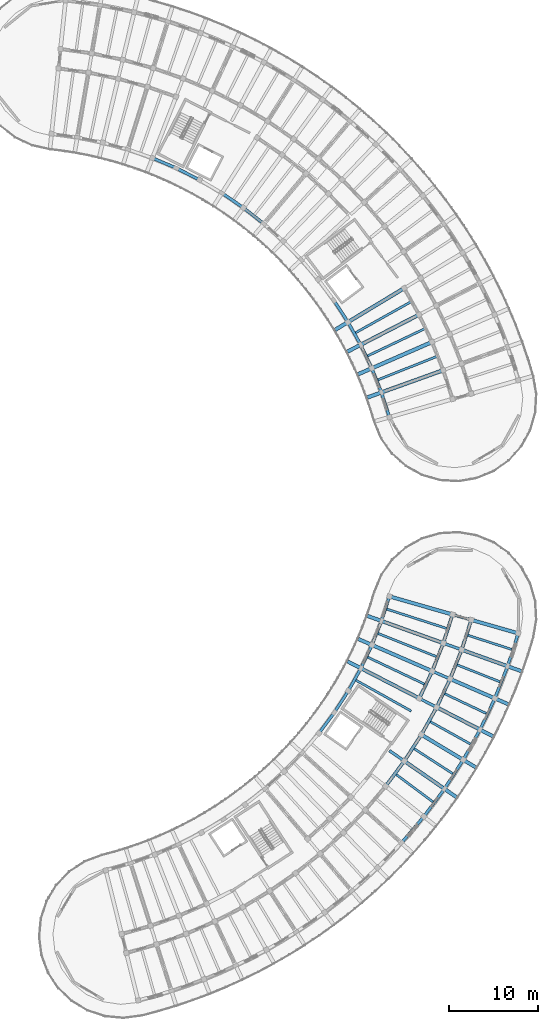
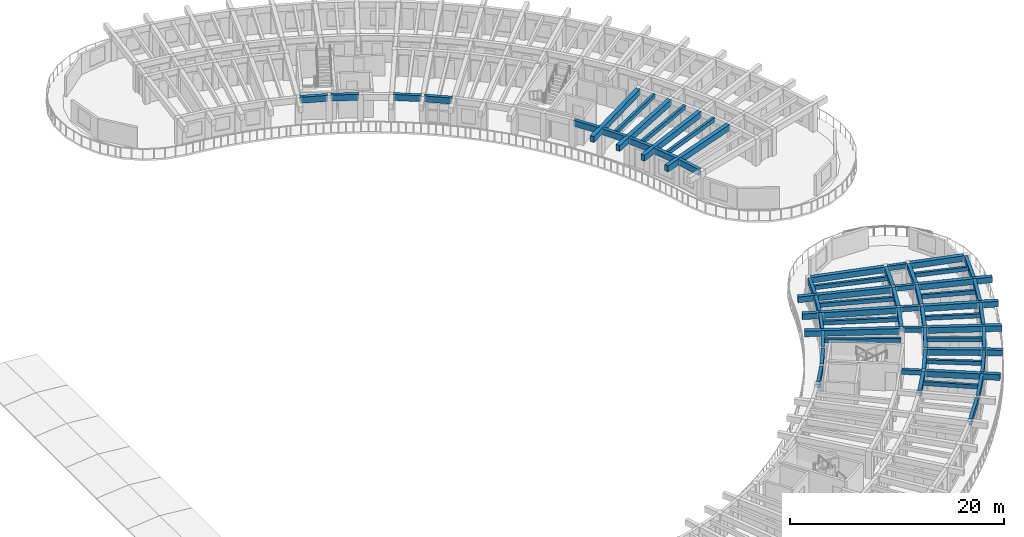
# One storey, part 14 of 69: 63 beams.
"""IFC4 building model written with IfcOpenShell, lengths in metres."""

from ifc_helpers import new_model, si_unit, direction, frame, origin, origin_2d, place, context, subcontext, project, spatial, rectangle, extrude, material, material_profile, profile_set, type_object, element, save


model = new_model("IFC4")

# Units and contexts
model_context = context("Model", 3, precision=1e-05, world=origin(), true_north=direction((0.0, 1.0)))
body_context = subcontext(model_context, "Body", "Model", "MODEL_VIEW")
ifc_project = project(units=[si_unit("LENGTHUNIT", "METRE"), si_unit("AREAUNIT", "SQUARE_METRE"), si_unit("VOLUMEUNIT", "CUBIC_METRE"), si_unit("PLANEANGLEUNIT", "RADIAN"), si_unit("MASSUNIT", "GRAM", prefix="KILO")], contexts=[model_context])

# Site, building, storey
site_placement = place(None, origin())
site = spatial("IfcSite", under=ifc_project, at=site_placement, CompositionType="ELEMENT")
building_placement = place(site_placement, origin())
building = spatial("IfcBuilding", under=site, at=building_placement, Name="Tanwirah Colonnade Gardens", CompositionType="ELEMENT")
storey_placement = place(building_placement, frame((0.0, 0.0, 15.56005859375)))
storey = spatial("IfcBuildingStorey", under=building, at=storey_placement, Name="L04", CompositionType="ELEMENT", Elevation=15.56005859375)

# Beams
ifc_material_1 = material(Name="Precast concrete C40/50", Category="concrete")
ifc_material_profile_1 = material_profile(ifc_material_1, rectangle(XDim=0.360107421875, YDim=0.610107421875, at=origin_2d()), Name="PC-BM 360x610")
ifc_profile_set_1 = profile_set([ifc_material_profile_1], Name="Precast concrete C40/50")
beam_type_1 = type_object("IfcBeamType", Name="BM-PC300", PredefinedType="BEAM", material=ifc_profile_set_1)
beam_1_placement = place(storey_placement, frame((163.389404296875, 30.973388671875, 2.804931640625), z_axis=(0.596579473879, 0.802554005252, 0.0), x_axis=(-0.802554005252, 0.596579473879, 0.0)))
element("IfcBeam", 1, at=beam_1_placement, inside=storey, type_object=beam_type_1, Name="Block D L04 Circumferential Beam 10-R2", PredefinedType="BEAM", context=body_context, shape_type="SweptSolid", body=[
    extrude(rectangle(XDim=0.360107421875, YDim=0.610107421875, at=origin_2d()), origin(), (0.0, 0.0, 1.0), 3.237060546875),
])
for number, where, z_axis, x_axis, name in (
    (2, (165.491455078125, 33.817626953125, 2.804931640625), (0.542825891173, 0.839845254718, 0.0), (-0.839845254718, 0.542825891173, 0.0), "Block D L04 Circumferential Beam 11-R2"),
    (3, (167.40283203125, 36.793212890625, 2.804931640625), (0.486712025227, 0.873562478875, 0.0), (-0.873562478875, 0.486712025227, 0.0), "Block D L04 Circumferential Beam 12-R2"),
):
    element("IfcBeam", number, at=place(storey_placement, frame(where, z_axis=z_axis, x_axis=x_axis)), inside=storey, type_object=beam_type_1, Name=name, PredefinedType="BEAM", context=body_context, shape_type="SweptSolid", body=[
        extrude(rectangle(XDim=0.360107421875, YDim=0.610107421875, at=origin_2d()), origin(), (0.0, 0.0, 1.0), 3.23681640625),
    ])
beam_2_placement = place(storey_placement, frame((167.159912109375, 40.894775390625, 2.804931640625), z_axis=(0.428520598641, 0.903532011907, 0.0), x_axis=(-0.903532011907, 0.428520598641, 0.0)))
element("IfcBeam", 4, at=beam_2_placement, inside=storey, type_object=beam_type_1, Name="Block D L04 Circumferential Beam 13-R1", PredefinedType="BEAM", context=body_context, shape_type="SweptSolid", body=[
    extrude(rectangle(XDim=0.360107421875, YDim=0.610107421875, at=origin_2d()), origin(), (0.0, 0.0, 1.0), 3.093017578125),
])
beam_3_placement = place(storey_placement, frame((169.11572265625, 39.887451171875, 2.804931640625), z_axis=(0.428562893949, 0.903511951183, 0.0), x_axis=(-0.903511951183, 0.428562893949, 0.0)))
element("IfcBeam", 5, at=beam_3_placement, inside=storey, type_object=beam_type_1, Name="Block D L04 Circumferential Beam 13-R2", PredefinedType="BEAM", context=body_context, shape_type="SweptSolid", body=[
    extrude(rectangle(XDim=0.360107421875, YDim=0.610107421875, at=origin_2d()), origin(), (0.0, 0.0, 1.0), 3.23681640625),
])
beam_4_placement = place(storey_placement, frame((168.604736328125, 43.96435546875, 2.804931640625), z_axis=(0.368544574427, 0.929610077753, 0.0), x_axis=(-0.929610077753, 0.368544574427, 0.0)))
element("IfcBeam", 6, at=beam_4_placement, inside=storey, type_object=beam_type_1, Name="Block D L04 Circumferential Beam 14-R1", PredefinedType="BEAM", context=body_context, shape_type="SweptSolid", body=[
    extrude(rectangle(XDim=0.360107421875, YDim=0.610107421875, at=origin_2d()), origin(), (0.0, 0.0, 1.0), 3.093017578125),
])
beam_5_placement = place(storey_placement, frame((170.622314453125, 43.087158203125, 2.804931640625), z_axis=(0.368527954052, 0.929616666741, 0.0), x_axis=(-0.929616666741, 0.368527954052, 0.0)))
element("IfcBeam", 7, at=beam_5_placement, inside=storey, type_object=beam_type_1, Name="Block D L04 Circumferential Beam 14-R2", PredefinedType="BEAM", context=body_context, shape_type="SweptSolid", body=[
    extrude(rectangle(XDim=0.360107421875, YDim=0.610107421875, at=origin_2d()), origin(), (0.0, 0.0, 1.0), 3.23681640625),
])
beam_6_placement = place(storey_placement, frame((169.845947265625, 47.121826171875, 2.804931640625), z_axis=(0.306977410573, 0.951716801048, 0.0), x_axis=(-0.951716801048, 0.306977410573, 0.0)))
element("IfcBeam", 8, at=beam_6_placement, inside=storey, type_object=beam_type_1, Name="Block D L04 Circumferential Beam 15-R1", PredefinedType="BEAM", context=body_context, shape_type="SweptSolid", body=[
    extrude(rectangle(XDim=0.360107421875, YDim=0.610107421875, at=origin_2d()), origin(), (0.0, 0.0, 1.0), 3.093017578125),
])
beam_7_placement = place(storey_placement, frame((171.91650390625, 46.37841796875, 2.804931640625), z_axis=(0.306980742305, 0.951715726388, 0.0), x_axis=(-0.951715726388, 0.306980742305, 0.0)))
element("IfcBeam", 9, at=beam_7_placement, inside=storey, type_object=beam_type_1, Name="Block D L04 Circumferential Beam 15-R2", PredefinedType="BEAM", context=body_context, shape_type="SweptSolid", body=[
    extrude(rectangle(XDim=0.360107421875, YDim=0.610107421875, at=origin_2d()), origin(), (0.0, 0.0, 1.0), 3.23681640625),
])
ifc_material_profile_2 = material_profile(ifc_material_1, rectangle(XDim=0.320068359375, YDim=0.52001953125, at=origin_2d()), Name="PC-BM 320x520")
ifc_profile_set_2 = profile_set([ifc_material_profile_2], Name="Precast concrete C40/50")
beam_type_2 = type_object("IfcBeamType", Name="BM-PC320", PredefinedType="BEAM", material=ifc_profile_set_2)
beam_8_placement = place(storey_placement, frame((163.7255859375, 34.860107421875, 2.849853515625), z_axis=(0.821669163201, -0.569964723684, 0.0), x_axis=(0.569964723684, 0.821669163201, 0.0)))
element("IfcBeam", 10, at=beam_8_placement, inside=storey, type_object=beam_type_2, Name="Block D L04 Corridor Tie Beam 11", PredefinedType="BEAM", context=body_context, shape_type="SweptSolid", body=[
    extrude(rectangle(XDim=0.320068359375, YDim=0.52001953125, at=origin_2d()), origin(), (0.0, 0.0, 1.0), 1.900146484375),
])
beam_9_placement = place(storey_placement, frame((167.22900390625, 40.690673828125, 2.849853515625), z_axis=(0.888965044602, -0.457975053334, 0.0), x_axis=(0.457975053334, 0.888965044602, 0.0)))
element("IfcBeam", 11, at=beam_9_placement, inside=storey, type_object=beam_type_2, Name="Block D L04 Corridor Tie Beam 13", PredefinedType="BEAM", context=body_context, shape_type="SweptSolid", body=[
    extrude(rectangle(XDim=0.320068359375, YDim=0.52001953125, at=origin_2d()), origin(), (0.0, 0.0, 1.0), 1.89990234375),
])
beam_10_placement = place(storey_placement, frame((168.68701171875, 43.76513671875, 2.849853515625), z_axis=(0.917025109963, -0.398829471952, 0.0), x_axis=(0.398829471952, 0.917025109963, 0.0)))
element("IfcBeam", 12, at=beam_10_placement, inside=storey, type_object=beam_type_2, Name="Block D L04 Corridor Tie Beam 14", PredefinedType="BEAM", context=body_context, shape_type="SweptSolid", body=[
    extrude(rectangle(XDim=0.320068359375, YDim=0.52001953125, at=origin_2d()), origin(), (0.0, 0.0, 1.0), 1.900146484375),
])
for number, where, z_axis, x_axis, name in (
    (13, (169.941162109375, 46.92822265625, 2.849853515625), (0.941214575511, -0.337809299525, 0.0), (0.337809299525, 0.941214575511, 0.0), "Block D L04 Corridor Tie Beam 15"),
    (14, (170.985595703125, 50.166748046875, 2.849853515625), (0.961266538157, -0.275620468433, 0.0), (0.275620468433, 0.961266538157, 0.0), "Block D L04 Corridor Tie Beam 16"),
):
    element("IfcBeam", number, at=place(storey_placement, frame(where, z_axis=z_axis, x_axis=x_axis)), inside=storey, type_object=beam_type_2, Name=name, PredefinedType="BEAM", context=body_context, shape_type="SweptSolid", body=[
        extrude(rectangle(XDim=0.320068359375, YDim=0.52001953125, at=origin_2d()), origin(), (0.0, 0.0, 1.0), 1.89990234375),
    ])
ifc_material_2 = material(Name="Precast concrete C45/55", Category="concrete")
ifc_material_profile_3 = material_profile(ifc_material_2, rectangle(XDim=0.39990234375, YDim=0.64990234375, at=origin_2d()), Name="PC-BM 400x650")
ifc_profile_set_3 = profile_set([ifc_material_profile_3], Name="Precast concrete C45/55")
beam_type_3 = type_object("IfcBeamType", Name="BM-PC400", PredefinedType="BEAM", material=ifc_profile_set_3)
for number, where, z_axis, x_axis, name in (
    (15, (165.533203125, 33.606201171875, 2.784912109375), (0.821647028495, -0.569996632066, 0.0), (0.569996632066, 0.821647028495, 0.0), "Block D L04 Outer Radial Precast Girder 11"),
    (16, (167.45849609375, 36.5849609375, 2.784912109375), (0.857159687729, -0.515050744812, 0.0), (0.515050744812, 0.857159687729, 0.0), "Block D L04 Outer Radial Precast Girder 12"),
):
    element("IfcBeam", number, at=place(storey_placement, frame(where, z_axis=z_axis, x_axis=x_axis)), inside=storey, type_object=beam_type_3, Name=name, PredefinedType="BEAM", context=body_context, shape_type="SweptSolid", body=[
        extrude(rectangle(XDim=0.39990234375, YDim=0.64990234375, at=origin_2d()), origin(), (0.0, 0.0, 1.0), 7.050048828125),
    ])
beam_11_placement = place(storey_placement, frame((166.962158203125, 40.827880859375, 2.784912109375), z_axis=(-0.889022337846, 0.457863825619, 0.0), x_axis=(-0.457863825619, -0.889022337846, 0.0)))
element("IfcBeam", 17, at=beam_11_placement, inside=storey, type_object=beam_type_3, Name="Block D L04 Inner Radial Precast Girder 13", PredefinedType="BEAM", context=body_context, shape_type="SweptSolid", body=[
    extrude(rectangle(XDim=0.39990234375, YDim=0.64990234375, at=origin_2d()), origin(), (0.0, 0.0, 1.0), 8.949951171875),
])
beam_12_placement = place(storey_placement, frame((169.184814453125, 39.683349609375, 2.784912109375), z_axis=(0.889016420099, -0.457875315774, 0.0), x_axis=(0.457875315774, 0.889016420099, 0.0)))
element("IfcBeam", 18, at=beam_12_placement, inside=storey, type_object=beam_type_3, Name="Block D L04 Outer Radial Precast Girder 13", PredefinedType="BEAM", context=body_context, shape_type="SweptSolid", body=[
    extrude(rectangle(XDim=0.39990234375, YDim=0.64990234375, at=origin_2d()), origin(), (0.0, 0.0, 1.0), 7.050048828125),
])
beam_13_placement = place(storey_placement, frame((168.412109375, 43.884765625, 2.784912109375), z_axis=(-0.917069622575, 0.398727108872, 0.0), x_axis=(-0.398727108872, -0.917069622575, 0.0)))
element("IfcBeam", 19, at=beam_13_placement, inside=storey, type_object=beam_type_3, Name="Block D L04 Inner Radial Precast Girder 14", PredefinedType="BEAM", context=body_context, shape_type="SweptSolid", body=[
    extrude(rectangle(XDim=0.39990234375, YDim=0.64990234375, at=origin_2d()), origin(), (0.0, 0.0, 1.0), 8.949951171875),
])
beam_14_placement = place(storey_placement, frame((170.70458984375, 42.8876953125, 2.784912109375), z_axis=(0.91706895514, -0.398728643965, 0.0), x_axis=(0.398728643965, 0.91706895514, 0.0)))
element("IfcBeam", 20, at=beam_14_placement, inside=storey, type_object=beam_type_3, Name="Block D L04 Outer Radial Precast Girder 14", PredefinedType="BEAM", context=body_context, shape_type="SweptSolid", body=[
    extrude(rectangle(XDim=0.39990234375, YDim=0.64990234375, at=origin_2d()), origin(), (0.0, 0.0, 1.0), 7.050048828125),
])
beam_15_placement = place(storey_placement, frame((169.65869140625, 47.02978515625, 2.784912109375), z_axis=(-0.941180212187, 0.337905028356, 0.0), x_axis=(-0.337905028356, -0.941180212187, 0.0)))
element("IfcBeam", 21, at=beam_15_placement, inside=storey, type_object=beam_type_3, Name="Block D L04 Inner Radial Precast Girder 15", PredefinedType="BEAM", context=body_context, shape_type="SweptSolid", body=[
    extrude(rectangle(XDim=0.39990234375, YDim=0.64990234375, at=origin_2d()), origin(), (0.0, 0.0, 1.0), 8.94970703125),
])
beam_16_placement = place(storey_placement, frame((172.01171875, 46.184814453125, 2.784912109375), z_axis=(0.941174903614, -0.337919814168, 0.0), x_axis=(0.337919814168, 0.941174903614, 0.0)))
element("IfcBeam", 22, at=beam_16_placement, inside=storey, type_object=beam_type_3, Name="Block D L04 Outer Radial Precast Girder 15", PredefinedType="BEAM", context=body_context, shape_type="SweptSolid", body=[
    extrude(rectangle(XDim=0.39990234375, YDim=0.64990234375, at=origin_2d()), origin(), (0.0, 0.0, 1.0), 7.050048828125),
])
beam_17_placement = place(storey_placement, frame((170.697265625, 50.24951171875, 2.784912109375), z_axis=(-0.961261397636, 0.275638396117, 0.0), x_axis=(-0.275638396117, -0.961261397636, 0.0)))
element("IfcBeam", 23, at=beam_17_placement, inside=storey, type_object=beam_type_3, Name="Block D L04 Inner Radial Precast Girder 16", PredefinedType="BEAM", context=body_context, shape_type="SweptSolid", body=[
    extrude(rectangle(XDim=0.39990234375, YDim=0.64990234375, at=origin_2d()), origin(), (0.0, 0.0, 1.0), 7.10009765625),
])
beam_18_placement = place(storey_placement, frame((173.100341796875, 49.560546875, 2.784912109375), z_axis=(0.961259519271, -0.275644946646, 0.0), x_axis=(0.275644946646, 0.961259519271, 0.0)))
element("IfcBeam", 24, at=beam_18_placement, inside=storey, type_object=beam_type_3, Name="Block D L04 Outer Radial Precast Girder 16", PredefinedType="BEAM", context=body_context, shape_type="SweptSolid", body=[
    extrude(rectangle(XDim=0.39990234375, YDim=0.64990234375, at=origin_2d()), origin(), (0.0, 0.0, 1.0), 5.199951171875),
])
ifc_material_profile_4 = material_profile(ifc_material_2, rectangle(XDim=0.419921875, YDim=0.679931640625, at=origin_2d()), Name="PC-BM 420x680")
ifc_profile_set_4 = profile_set([ifc_material_profile_4], Name="Precast concrete C45/55")
beam_type_4 = type_object("IfcBeamType", Name="BM-PC420", PredefinedType="BEAM", material=ifc_profile_set_4)
beam_19_placement = place(storey_placement, frame((169.650390625, 77.69384765625, 2.77001953125), z_axis=(-0.941017049702, -0.338359146723, 0.0), x_axis=(0.338359146723, -0.941017049702, 0.0)))
element("IfcBeam", 25, at=beam_19_placement, inside=storey, type_object=beam_type_4, Name="Block B L04 Inner Radial Precast Girder 1", PredefinedType="BEAM", context=body_context, shape_type="SweptSolid", body=[
    extrude(rectangle(XDim=0.419921875, YDim=0.679931640625, at=origin_2d()), origin(), (0.0, 0.0, 1.0), 8.949951171875),
])
beam_20_placement = place(storey_placement, frame((168.39208984375, 80.861328125, 2.77001953125), z_axis=(-0.916669317869, -0.399646545934, 0.0), x_axis=(0.399646545934, -0.916669317869, 0.0)))
element("IfcBeam", 26, at=beam_20_placement, inside=storey, type_object=beam_type_4, Name="Block B L04 Inner Radial Precast Girder 2", PredefinedType="BEAM", context=body_context, shape_type="SweptSolid", body=[
    extrude(rectangle(XDim=0.419921875, YDim=0.679931640625, at=origin_2d()), origin(), (0.0, 0.0, 1.0), 8.9501953125),
])
beam_21_placement = place(storey_placement, frame((166.927734375, 83.93896484375, 2.77001953125), z_axis=(-0.888345427876, -0.459175784175, 0.0), x_axis=(0.459175784175, -0.888345427876, 0.0)))
element("IfcBeam", 27, at=beam_21_placement, inside=storey, type_object=beam_type_4, Name="Block B L04 Inner Radial Precast Girder 3", PredefinedType="BEAM", context=body_context, shape_type="SweptSolid", body=[
    extrude(rectangle(XDim=0.419921875, YDim=0.679931640625, at=origin_2d()), origin(), (0.0, 0.0, 1.0), 8.949951171875),
])
beam_22_placement = place(storey_placement, frame((165.263916015625, 86.913330078125, 2.77001953125), z_axis=(-0.856168728297, -0.516696340887, 0.0), x_axis=(0.516696340887, -0.856168728297, 0.0)))
element("IfcBeam", 28, at=beam_22_placement, inside=storey, type_object=beam_type_4, Name="Block B L04 Inner Radial Precast Girder 4", PredefinedType="BEAM", context=body_context, shape_type="SweptSolid", body=[
    extrude(rectangle(XDim=0.419921875, YDim=0.679931640625, at=origin_2d()), origin(), (0.0, 0.0, 1.0), 8.9501953125),
])
ifc_material_profile_5 = material_profile(ifc_material_1, rectangle(XDim=0.2548828125, YDim=0.455078125, at=origin_2d()), Name="PC-JST 255x455")
ifc_profile_set_5 = profile_set([ifc_material_profile_5], Name="Precast concrete C40/50")
beam_type_5 = type_object("IfcBeamType", Name="JST-PC240", PredefinedType="JOIST", material=ifc_profile_set_5)
for number, where, z_axis, x_axis, name in (
    (29, (164.474609375, 32.18359375, 2.88232421875), (0.802560347737, -0.596570941499, 0.0), (0.596570941499, 0.802560347737, 0.0), "Block D L04 Precast Floor Joist 10"),
    (30, (166.4951171875, 35.09619140625, 2.88232421875), (0.839842770955, -0.542829733963, 0.0), (0.542829733963, 0.839842770955, 0.0), "Block D L04 Precast Floor Joist 11"),
    (31, (168.32080078125, 38.134521484375, 2.88232421875), (0.87356769437, -0.486702664214, 0.0), (0.486702664214, 0.87356769437, 0.0), "Block D L04 Precast Floor Joist 12"),
):
    element("IfcBeam", number, at=place(storey_placement, frame(where, z_axis=z_axis, x_axis=x_axis)), inside=storey, type_object=beam_type_5, Name=name, PredefinedType="JOIST", context=body_context, shape_type="SweptSolid", body=[
        extrude(rectangle(XDim=0.2548828125, YDim=0.455078125, at=origin_2d()), origin(), (0.0, 0.0, 1.0), 5.260009765625),
    ])
beam_23_placement = place(storey_placement, frame((159.9345703125, 42.80712890625, 2.88232421875), z_axis=(0.873559899034, -0.486716655561, 0.0), x_axis=(0.486716655561, 0.873559899034, 0.0)))
element("IfcBeam", 32, at=beam_23_placement, inside=storey, type_object=beam_type_5, Name="Block D L04 Inner Precast Floor Joist 12", PredefinedType="JOIST", context=body_context, shape_type="SweptSolid", body=[
    extrude(rectangle(XDim=0.2548828125, YDim=0.455078125, at=origin_2d()), origin(), (0.0, 0.0, 1.0), 7.159912109375),
])
beam_24_placement = place(storey_placement, frame((169.94384765625, 41.285888671875, 2.88232421875), z_axis=(0.903517509842, -0.428551174785, 0.0), x_axis=(0.428551174785, 0.903517509842, 0.0)))
element("IfcBeam", 33, at=beam_24_placement, inside=storey, type_object=beam_type_5, Name="Block D L04 Precast Floor Joist 13", PredefinedType="JOIST", context=body_context, shape_type="SweptSolid", body=[
    extrude(rectangle(XDim=0.2548828125, YDim=0.455078125, at=origin_2d()), origin(), (0.0, 0.0, 1.0), 5.260009765625),
])
beam_25_placement = place(storey_placement, frame((161.27001953125, 45.39990234375, 2.88232421875), z_axis=(0.903522492189, -0.428540670308, 0.0), x_axis=(0.428540670308, 0.903522492189, 0.0)))
element("IfcBeam", 34, at=beam_25_placement, inside=storey, type_object=beam_type_5, Name="Block D L04 Inner Precast Floor Joist 13", PredefinedType="JOIST", context=body_context, shape_type="SweptSolid", body=[
    extrude(rectangle(XDim=0.2548828125, YDim=0.455078125, at=origin_2d()), origin(), (0.0, 0.0, 1.0), 7.159912109375),
])
beam_26_placement = place(storey_placement, frame((171.357177734375, 44.53662109375, 2.88232421875), z_axis=(0.929618207145, -0.368524068338, 0.0), x_axis=(0.368524068338, 0.929618207145, 0.0)))
element("IfcBeam", 35, at=beam_26_placement, inside=storey, type_object=beam_type_5, Name="Block D L04 Precast Floor Joist 14", PredefinedType="JOIST", context=body_context, shape_type="SweptSolid", body=[
    extrude(rectangle(XDim=0.2548828125, YDim=0.455078125, at=origin_2d()), origin(), (0.0, 0.0, 1.0), 5.260009765625),
])
beam_27_placement = place(storey_placement, frame((162.432861328125, 48.07470703125, 2.88232421875), z_axis=(0.929619798141, -0.368520054956, 0.0), x_axis=(0.368520054956, 0.929619798141, 0.0)))
element("IfcBeam", 36, at=beam_27_placement, inside=storey, type_object=beam_type_5, Name="Block D L04 Inner Precast Floor Joist 14", PredefinedType="JOIST", context=body_context, shape_type="SweptSolid", body=[
    extrude(rectangle(XDim=0.2548828125, YDim=0.455078125, at=origin_2d()), origin(), (0.0, 0.0, 1.0), 7.16015625),
])
beam_28_placement = place(storey_placement, frame((172.55517578125, 47.873046875, 2.88232421875), z_axis=(0.95172917624, -0.30693904133, 0.0), x_axis=(0.30693904133, 0.95172917624, 0.0)))
element("IfcBeam", 37, at=beam_28_placement, inside=storey, type_object=beam_type_5, Name="Block D L04 Precast Floor Joist 15", PredefinedType="JOIST", context=body_context, shape_type="SweptSolid", body=[
    extrude(rectangle(XDim=0.2548828125, YDim=0.455078125, at=origin_2d()), origin(), (0.0, 0.0, 1.0), 5.260009765625),
])
beam_29_placement = place(storey_placement, frame((163.41845703125, 50.819580078125, 2.88232421875), z_axis=(0.951727255502, -0.30694499692, 0.0), x_axis=(0.30694499692, 0.951727255502, 0.0)))
element("IfcBeam", 38, at=beam_29_placement, inside=storey, type_object=beam_type_5, Name="Block D L04 Inner Precast Floor Joist 15", PredefinedType="JOIST", context=body_context, shape_type="SweptSolid", body=[
    extrude(rectangle(XDim=0.2548828125, YDim=0.455078125, at=origin_2d()), origin(), (0.0, 0.0, 1.0), 7.16015625),
])
ifc_material_profile_6 = material_profile(ifc_material_1, rectangle(XDim=0.260009765625, YDim=0.4599609375, at=origin_2d()), Name="PC-JST 260x460")
ifc_profile_set_6 = profile_set([ifc_material_profile_6], Name="Precast concrete C40/50")
beam_type_6 = type_object("IfcBeamType", Name="JST-PC260", PredefinedType="JOIST", material=ifc_profile_set_6)
for number, where, z_axis, x_axis, name in (
    (39, (162.4208984375, 76.655517578125, 2.8798828125), (0.929348880779, 0.369202732649, 0.0), (-0.369202732649, 0.929348880779, 0.0), "Block B L04 Inner Precast Floor Joist 1"),
    (40, (161.246826171875, 79.348876953125, 2.8798828125), (0.903005429363, 0.429629136048, 0.0), (-0.429629136048, 0.903005429363, 0.0), "Block B L04 Inner Precast Floor Joist 2"),
    (41, (159.897705078125, 81.958984375, 2.8798828125), (0.872726875563, 0.488208767506, 0.0), (-0.488208767506, 0.872726875563, 0.0), "Block B L04 Inner Precast Floor Joist 3"),
):
    element("IfcBeam", number, at=place(storey_placement, frame(where, z_axis=z_axis, x_axis=x_axis)), inside=storey, type_object=beam_type_6, Name=name, PredefinedType="JOIST", context=body_context, shape_type="SweptSolid", body=[
        extrude(rectangle(XDim=0.260009765625, YDim=0.4599609375, at=origin_2d()), origin(), (0.0, 0.0, 1.0), 7.16015625),
    ])
ifc_material_profile_7 = material_profile(ifc_material_1, rectangle(XDim=0.324951171875, YDim=0.68505859375, at=origin_2d()), Name="PC-SP 325x685")
ifc_profile_set_7 = profile_set([ifc_material_profile_7], Name="Precast concrete C40/50")
beam_type_7 = type_object("IfcBeamType", Name="SP-PC260", PredefinedType="SPANDREL", material=ifc_profile_set_7)
beam_30_placement = place(storey_placement, frame((165.17724609375, 24.574951171875, 2.767333984375), z_axis=(0.647784367984, 0.76182374116, 0.0), x_axis=(-0.76182374116, 0.647784367984, 0.0)))
element("IfcBeam", 42, at=beam_30_placement, inside=storey, type_object=beam_type_7, Name="Block D L04 Circumferential Beam 9-R3", PredefinedType="SPANDREL", context=body_context, shape_type="SweptSolid", body=[
    extrude(rectangle(XDim=0.324951171875, YDim=0.68505859375, at=origin_2d()), origin(), (0.0, 0.0, 1.0), 3.5966796875),
])
beam_31_placement = place(storey_placement, frame((155.87646484375, 36.94970703125, 2.767333984375), z_axis=(0.596565220249, 0.802564600508, 0.0), x_axis=(-0.802564600508, 0.596565220249, 0.0)))
element("IfcBeam", 43, at=beam_31_placement, inside=storey, type_object=beam_type_7, Name="Block D L04 Circumferential Beam 10-R0", PredefinedType="SPANDREL", context=body_context, shape_type="SweptSolid", body=[
    extrude(rectangle(XDim=0.324951171875, YDim=0.68505859375, at=origin_2d()), origin(), (0.0, 0.0, 1.0), 2.6083984375),
])
beam_32_placement = place(storey_placement, frame((167.69384765625, 27.549560546875, 2.767333984375), z_axis=(0.596562665898, 0.802566499212, 0.0), x_axis=(-0.802566499212, 0.596562665898, 0.0)))
element("IfcBeam", 44, at=beam_32_placement, inside=storey, type_object=beam_type_7, Name="Block D L04 Circumferential Beam 10-R3", PredefinedType="SPANDREL", context=body_context, shape_type="SweptSolid", body=[
    extrude(rectangle(XDim=0.324951171875, YDim=0.68505859375, at=origin_2d()), origin(), (0.0, 0.0, 1.0), 3.596923828125),
])
beam_33_placement = place(storey_placement, frame((157.603515625, 39.28955078125, 2.767333984375), z_axis=(0.542874837406, 0.83981361677, 0.0), x_axis=(-0.83981361677, 0.542874837406, 0.0)))
element("IfcBeam", 45, at=beam_33_placement, inside=storey, type_object=beam_type_7, Name="Block D L04 Circumferential Beam 11-R0", PredefinedType="SPANDREL", context=body_context, shape_type="SweptSolid", body=[
    extrude(rectangle(XDim=0.324951171875, YDim=0.68505859375, at=origin_2d()), origin(), (0.0, 0.0, 1.0), 2.60888671875),
])
beam_34_placement = place(storey_placement, frame((170.010498046875, 30.6826171875, 2.767333984375), z_axis=(0.542786838894, 0.839870494495, 0.0), x_axis=(-0.839870494495, 0.542786838894, 0.0)))
element("IfcBeam", 46, at=beam_34_placement, inside=storey, type_object=beam_type_7, Name="Block D L04 Circumferential Beam 11-R3", PredefinedType="SPANDREL", context=body_context, shape_type="SweptSolid", body=[
    extrude(rectangle(XDim=0.324951171875, YDim=0.68505859375, at=origin_2d()), origin(), (0.0, 0.0, 1.0), 3.596923828125),
])
beam_35_placement = place(storey_placement, frame((159.174072265625, 41.737548828125, 2.767333984375), z_axis=(0.486747049114, 0.873542964129, 0.0), x_axis=(-0.873542964129, 0.486747049114, 0.0)))
element("IfcBeam", 47, at=beam_35_placement, inside=storey, type_object=beam_type_7, Name="Block D L04 Circumferential Beam 12-R0", PredefinedType="SPANDREL", context=body_context, shape_type="SweptSolid", body=[
    extrude(rectangle(XDim=0.324951171875, YDim=0.68505859375, at=origin_2d()), origin(), (0.0, 0.0, 1.0), 2.608642578125),
])
beam_36_placement = place(storey_placement, frame((172.117431640625, 33.96044921875, 2.767333984375), z_axis=(0.486679958674, 0.87358034423, 0.0), x_axis=(-0.87358034423, 0.486679958674, 0.0)))
element("IfcBeam", 48, at=beam_36_placement, inside=storey, type_object=beam_type_7, Name="Block D L04 Circumferential Beam 12-R3", PredefinedType="SPANDREL", context=body_context, shape_type="SweptSolid", body=[
    extrude(rectangle(XDim=0.324951171875, YDim=0.68505859375, at=origin_2d()), origin(), (0.0, 0.0, 1.0), 3.5966796875),
])
beam_37_placement = place(storey_placement, frame((160.5810546875, 44.282958984375, 2.767333984375), z_axis=(0.428512709915, 0.903535753272, 0.0), x_axis=(-0.903535753272, 0.428512709915, 0.0)))
element("IfcBeam", 49, at=beam_37_placement, inside=storey, type_object=beam_type_7, Name="Block D L04 Circumferential Beam 13-R0", PredefinedType="SPANDREL", context=body_context, shape_type="SweptSolid", body=[
    extrude(rectangle(XDim=0.324951171875, YDim=0.68505859375, at=origin_2d()), origin(), (0.0, 0.0, 1.0), 2.60888671875),
])
beam_38_placement = place(storey_placement, frame((174.00537109375, 37.369140625, 2.767333984375), z_axis=(0.428518139447, 0.903533178231, 0.0), x_axis=(-0.903533178231, 0.428518139447, 0.0)))
element("IfcBeam", 50, at=beam_38_placement, inside=storey, type_object=beam_type_7, Name="Block D L04 Circumferential Beam 13-R3", PredefinedType="SPANDREL", context=body_context, shape_type="SweptSolid", body=[
    extrude(rectangle(XDim=0.324951171875, YDim=0.68505859375, at=origin_2d()), origin(), (0.0, 0.0, 1.0), 3.5966796875),
])
beam_39_placement = place(storey_placement, frame((161.818603515625, 46.9150390625, 2.767333984375), z_axis=(0.368549031306, 0.929608310808, 0.0), x_axis=(-0.929608310808, 0.368549031306, 0.0)))
element("IfcBeam", 51, at=beam_39_placement, inside=storey, type_object=beam_type_7, Name="Block D L04 Circumferential Beam 14-R0", PredefinedType="SPANDREL", context=body_context, shape_type="SweptSolid", body=[
    extrude(rectangle(XDim=0.324951171875, YDim=0.68505859375, at=origin_2d()), origin(), (0.0, 0.0, 1.0), 2.608642578125),
])
beam_40_placement = place(storey_placement, frame((175.666259765625, 40.89404296875, 2.767333984375), z_axis=(0.368521552478, 0.929619204491, 0.0), x_axis=(-0.929619204491, 0.368521552478, 0.0)))
element("IfcBeam", 52, at=beam_40_placement, inside=storey, type_object=beam_type_7, Name="Block D L04 Circumferential Beam 14-R3", PredefinedType="SPANDREL", context=body_context, shape_type="SweptSolid", body=[
    extrude(rectangle(XDim=0.324951171875, YDim=0.68505859375, at=origin_2d()), origin(), (0.0, 0.0, 1.0), 3.5966796875),
])
beam_41_placement = place(storey_placement, frame((162.88134765625, 49.622314453125, 2.767333984375), z_axis=(0.306948094518, 0.951726256479, 0.0), x_axis=(-0.951726256479, 0.306948094518, 0.0)))
element("IfcBeam", 53, at=beam_41_placement, inside=storey, type_object=beam_type_7, Name="Block D L04 Circumferential Beam 15-R0", PredefinedType="SPANDREL", context=body_context, shape_type="SweptSolid", body=[
    extrude(rectangle(XDim=0.324951171875, YDim=0.68505859375, at=origin_2d()), origin(), (0.0, 0.0, 1.0), 2.60888671875),
])
beam_42_placement = place(storey_placement, frame((177.093017578125, 44.519775390625, 2.767333984375), z_axis=(0.306927419976, 0.951732924127, 0.0), x_axis=(-0.951732924127, 0.306927419976, 0.0)))
element("IfcBeam", 54, at=beam_42_placement, inside=storey, type_object=beam_type_7, Name="Block D L04 Circumferential Beam 15-R3", PredefinedType="SPANDREL", context=body_context, shape_type="SweptSolid", body=[
    extrude(rectangle(XDim=0.324951171875, YDim=0.68505859375, at=origin_2d()), origin(), (0.0, 0.0, 1.0), 3.596923828125),
])
ifc_material_profile_8 = material_profile(ifc_material_1, rectangle(XDim=0.3349609375, YDim=0.695068359375, at=origin_2d()), Name="PC-SP 335x695")
ifc_profile_set_8 = profile_set([ifc_material_profile_8], Name="Precast concrete C40/50")
beam_type_8 = type_object("IfcBeamType", Name="SP-PC300", PredefinedType="SPANDREL", material=ifc_profile_set_8)
beam_43_placement = place(storey_placement, frame((163.681884765625, 72.5947265625, 2.762451171875), z_axis=(-0.307135661902, 0.951665742363, 0.0), x_axis=(-0.951665742363, -0.307135661902, 0.0)))
element("IfcBeam", 55, at=beam_43_placement, inside=storey, type_object=beam_type_8, Name="Block B L04 Circumferential Beam 0-R0", PredefinedType="SPANDREL", context=body_context, shape_type="SweptSolid", body=[
    extrude(rectangle(XDim=0.3349609375, YDim=0.695068359375, at=origin_2d()), origin(), (0.0, 0.0, 1.0), 2.63037109375),
])
beam_44_placement = place(storey_placement, frame((162.772705078125, 75.380126953125, 2.762451171875), z_axis=(-0.369245181709, 0.929332015904, 0.0), x_axis=(-0.929332015904, -0.369245181709, 0.0)))
element("IfcBeam", 56, at=beam_44_placement, inside=storey, type_object=beam_type_8, Name="Block B L04 Circumferential Beam 1-R0", PredefinedType="SPANDREL", context=body_context, shape_type="SweptSolid", body=[
    extrude(rectangle(XDim=0.3349609375, YDim=0.695068359375, at=origin_2d()), origin(), (0.0, 0.0, 1.0), 2.630126953125),
])
beam_45_placement = place(storey_placement, frame((161.681640625, 78.099365234375, 2.762451171875), z_axis=(-0.42964173036, 0.902999437172, 0.0), x_axis=(-0.902999437172, -0.42964173036, 0.0)))
element("IfcBeam", 57, at=beam_45_placement, inside=storey, type_object=beam_type_8, Name="Block B L04 Circumferential Beam 2-R0", PredefinedType="SPANDREL", context=body_context, shape_type="SweptSolid", body=[
    extrude(rectangle(XDim=0.3349609375, YDim=0.695068359375, at=origin_2d()), origin(), (0.0, 0.0, 1.0), 2.63037109375),
])
beam_46_placement = place(storey_placement, frame((160.413818359375, 80.740966796875, 2.762451171875), z_axis=(-0.488170837957, 0.872748092503, 0.0), x_axis=(-0.872748092503, -0.488170837957, 0.0)))
element("IfcBeam", 58, at=beam_46_placement, inside=storey, type_object=beam_type_8, Name="Block B L04 Circumferential Beam 3-R0", PredefinedType="SPANDREL", context=body_context, shape_type="SweptSolid", body=[
    extrude(rectangle(XDim=0.3349609375, YDim=0.695068359375, at=origin_2d()), origin(), (0.0, 0.0, 1.0), 2.630126953125),
])
for number, where, z_axis, x_axis, name in (
    (59, (158.974853515625, 83.29296875, 2.762451171875), (-0.544570677829, 0.838714955661, 0.0), (-0.838714955661, -0.544570677829, 0.0), "Block B L04 Circumferential Beam 4-R0"),
    (60, (149.453857421875, 94.34326171875, 2.762451171875), (-0.786836625031, 0.617161344795, 0.0), (-0.617161344795, -0.786836625031, 0.0), "Block B L04 Circumferential Beam 9-R0"),
    (61, (147.142578125, 96.143798828125, 2.762451171875), (-0.825800981874, 0.563961646158, 0.0), (-0.563961646158, -0.825800981874, 0.0), "Block B L04 Circumferential Beam 10-R0"),
    (62, (142.189453125, 99.26904296875, 2.762451171875), (-0.892769015158, 0.450514689632, 0.0), (-0.450514689632, -0.892769015158, 0.0), "Block B L04 Circumferential Beam 12-R0"),
    (63, (139.569091796875, 100.580322265625, 2.762451171875), (-0.920488719784, 0.390769134848, 0.0), (-0.390769134848, -0.920488719784, 0.0), "Block B L04 Circumferential Beam 13-R0"),
):
    element("IfcBeam", number, at=place(storey_placement, frame(where, z_axis=z_axis, x_axis=x_axis)), inside=storey, type_object=beam_type_8, Name=name, PredefinedType="SPANDREL", context=body_context, shape_type="SweptSolid", body=[
        extrude(rectangle(XDim=0.3349609375, YDim=0.695068359375, at=origin_2d()), origin(), (0.0, 0.0, 1.0), 2.63037109375),
    ])

save(model, "model.ifc")
